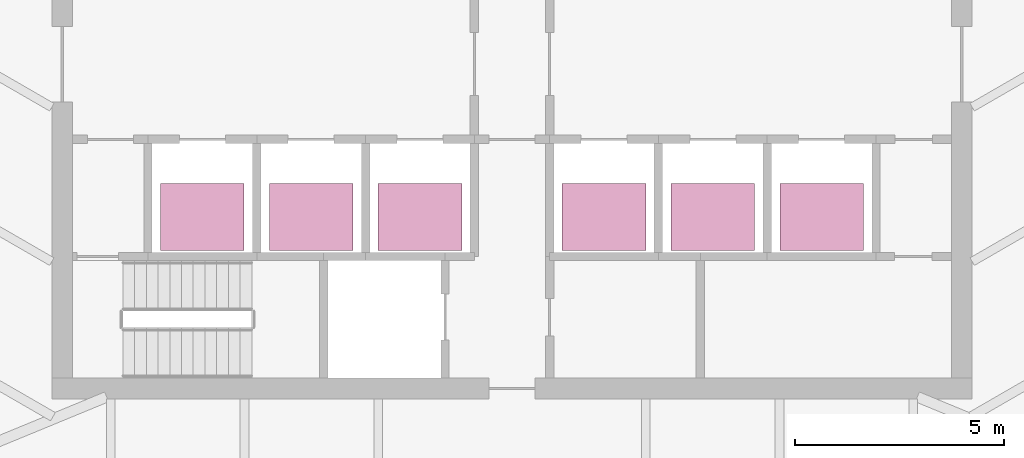
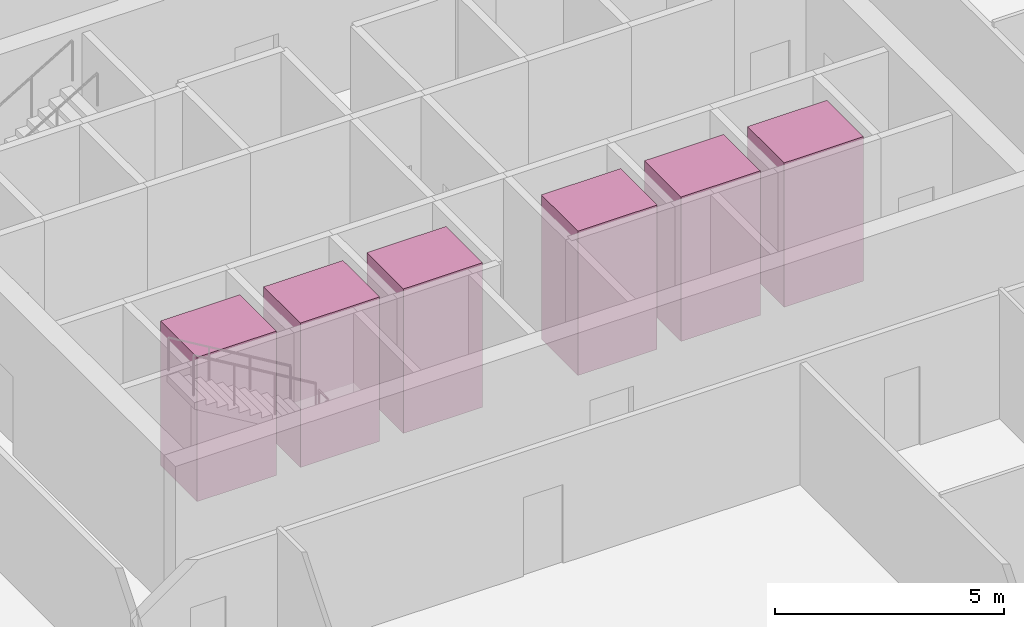
# One storey, part 16 of 16: 6 transport elements.
"""IFC4 building model written with IfcOpenShell, lengths in metres."""

from ifc_helpers import new_model, si_unit, direction, frame, origin, origin_2d, place, context, subcontext, project, spatial, rectangle, extrude, material, type_object, element, save


model = new_model("IFC4")

# Units and contexts
model_context = context("Model", 3, precision=1e-05, world=origin(), true_north=direction((0.0, 1.0)))
body_context = subcontext(model_context, "Body", "Model", "MODEL_VIEW")
ifc_project = project(units=[si_unit("LENGTHUNIT", "METRE"), si_unit("AREAUNIT", "SQUARE_METRE"), si_unit("VOLUMEUNIT", "CUBIC_METRE"), si_unit("PLANEANGLEUNIT", "RADIAN"), si_unit("MASSUNIT", "GRAM", prefix="KILO")], contexts=[model_context])

# Site, building, storey
site_placement = place(None, origin())
site = spatial("IfcSite", under=ifc_project, at=site_placement, CompositionType="ELEMENT")
building_placement = place(site_placement, origin())
building = spatial("IfcBuilding", under=site, at=building_placement, Name="Sierra Prisma Convention Tower", CompositionType="ELEMENT")
storey_placement = place(building_placement, frame((0.0, 0.0, 165.800048828125)))
storey = spatial("IfcBuildingStorey", under=building, at=storey_placement, Name="L36", CompositionType="ELEMENT", Elevation=165.800048828125)

# Transport elements
ifc_material = material(Name="Stainless steel", Category="steel")
transport_element_type = type_object("IfcTransportElementType", Name="Lift car office low 2000x1600 1600 kg", PredefinedType="ELEVATOR", material=ifc_material)
for number, where, z_axis, x_axis, name in (
    (1, (-7.39990234375, -3.64990234375, 0.0), (0.0, 0.0, 1.0), (1.0, 0.0, 0.0), "Lift OL1"),
    (2, (-4.800048828125, -3.64990234375, 0.0), (0.0, 0.0, 1.0), (1.0, 0.0, 0.0), "Lift OL2"),
    (3, (-2.199951171875, -3.64990234375, 0.0), (0.0, 0.0, 1.0), (1.0, 0.0, 0.0), "Lift OL3"),
    (4, (2.199951171875, -3.64990234375, 0.0), (0.0, 0.0, 1.0), (1.0, 0.0, 0.0), "Lift OL4"),
    (5, (4.800048828125, -3.64990234375, 0.0), (0.0, 0.0, 1.0), (1.0, 0.0, 0.0), "Lift OL5"),
    (6, (7.39990234375, -3.64990234375, 0.0), (0.0, 0.0, 1.0), (1.0, 0.0, 0.0), "Lift OL6"),
):
    element("IfcTransportElement", number, at=place(storey_placement, frame(where, z_axis=z_axis, x_axis=x_axis)), inside=storey, type_object=transport_element_type, Name=name, PredefinedType="ELEVATOR", context=body_context, shape_type="SweptSolid", body=[
        extrude(rectangle(XDim=2.0, YDim=1.60009765625, at=origin_2d()), origin(), (0.0, 0.0, 1.0), 3.85009765625),
    ])

save(model, "model.ifc")
